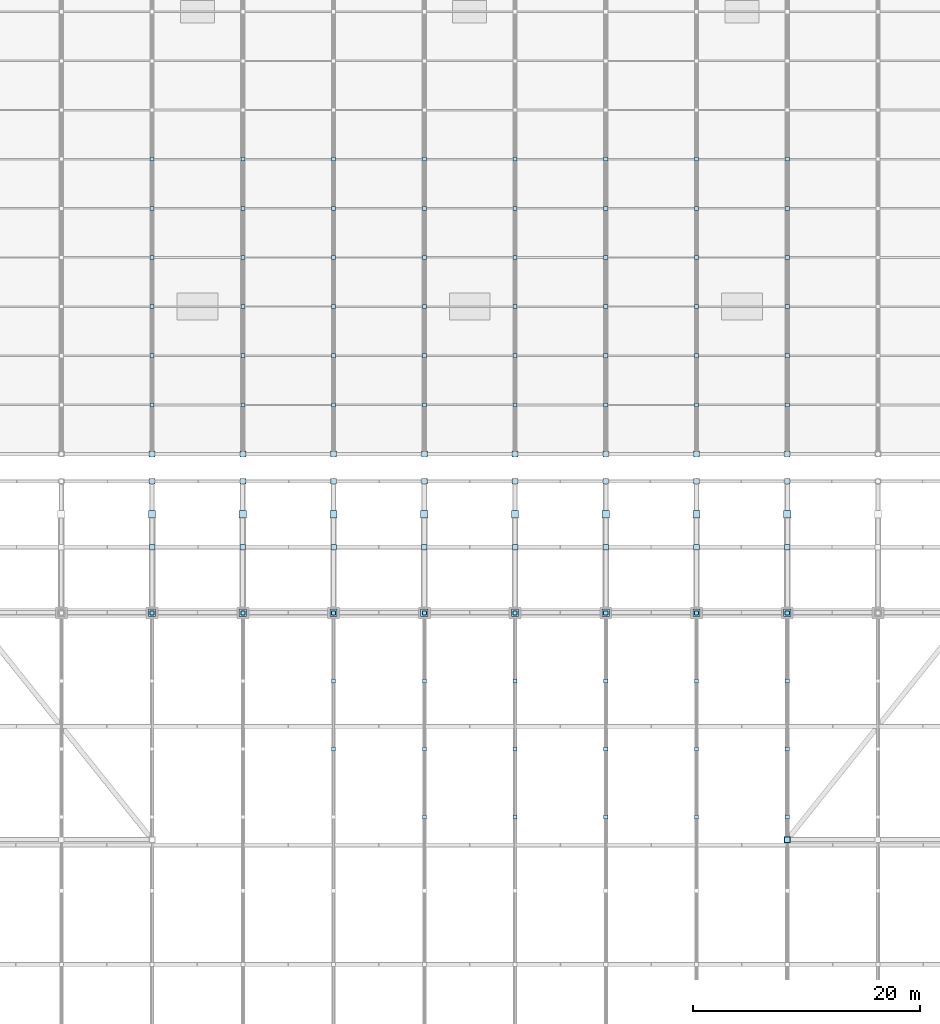
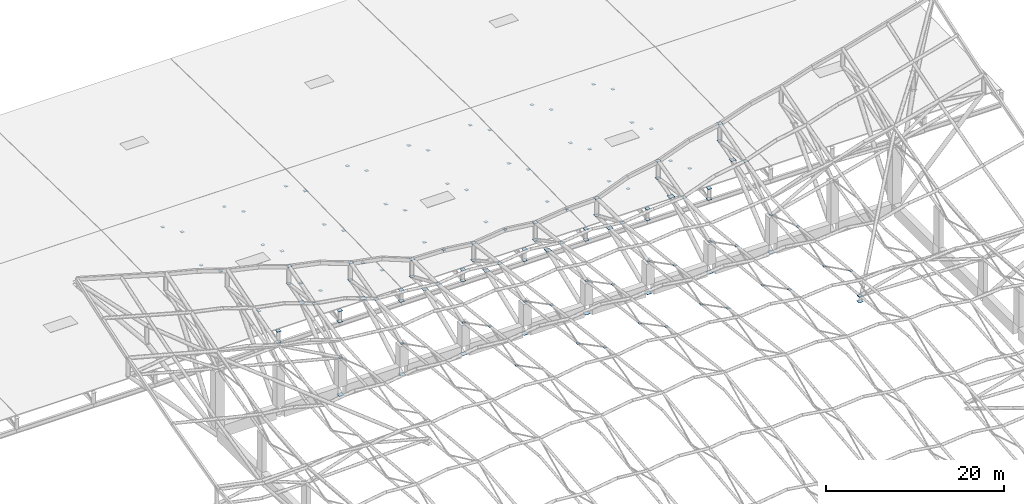
# One storey, part 62 of 75: 131 plates.
"""IFC4 building model written with IfcOpenShell, lengths in metres."""

from ifc_helpers import new_model, si_unit, direction, frame, origin, origin_2d, place, context, subcontext, project, spatial, rectangle, extrude, material, layer, layer_set, type_object, element, save


model = new_model("IFC4")

# Units and contexts
model_context = context("Model", 3, precision=1e-05, world=origin(), true_north=direction((0.0, 1.0)))
body_context = subcontext(model_context, "Body", "Model", "MODEL_VIEW")
ifc_project = project(units=[si_unit("LENGTHUNIT", "METRE"), si_unit("AREAUNIT", "SQUARE_METRE"), si_unit("VOLUMEUNIT", "CUBIC_METRE"), si_unit("PLANEANGLEUNIT", "RADIAN"), si_unit("MASSUNIT", "GRAM", prefix="KILO")], contexts=[model_context])

# Site, building, storey
site_placement = place(None, origin())
site = spatial("IfcSite", under=ifc_project, at=site_placement, CompositionType="ELEMENT")
building_placement = place(site_placement, origin())
building = spatial("IfcBuilding", under=site, at=building_placement, Name="Khorjan Park Terminus", CompositionType="ELEMENT")
storey_placement = place(building_placement, frame((0.0, 0.0, 16.2)))
storey = spatial("IfcBuildingStorey", under=building, at=storey_placement, Name="L03", CompositionType="ELEMENT", Elevation=16.2)

# Plates
ifc_material = material(Name="Steel S355", Category="steel")
ifc_layer_1 = layer(ifc_material, 0.022)
ifc_layer_set_1 = layer_set([ifc_layer_1], Name="Steel S355")
plate_type_1 = type_object("IfcPlateType", Name="PT-GUS-22", PredefinedType="SHEET", material=ifc_layer_set_1)
for number, where, z_axis, x_axis, name in (
    (1, (64.0, 106.3333, -1.0193), (0.0, 0.0, 1.0), (1.0, 0.0, 0.0), "Steel truss node cap plate NP-22 (RC2-GUS-END-0078)"),
    (2, (64.0, 110.6667, -2.611), (0.0, 0.0, 1.0), (1.0, 0.0, 0.0), "Steel truss node cap plate NP-22 (RC2-GUS-END-0079)"),
    (3, (64.0, 115.0, -0.836), (0.0, 0.0, 1.0), (1.0, 0.0, 0.0), "Steel truss node cap plate NP-22 (RC2-GUS-END-0080)"),
    (4, (64.0, 119.3333, -2.611), (0.0, 0.0, 1.0), (1.0, 0.0, 0.0), "Steel truss node cap plate NP-22 (RC2-GUS-END-0081)"),
    (5, (64.0, 123.6667, -0.6527), (0.0, 0.0, 1.0), (1.0, 0.0, 0.0), "Steel truss node cap plate NP-22 (RC2-GUS-END-0082)"),
    (6, (64.0, 128.0, -2.611), (0.0, 0.0, 1.0), (1.0, 0.0, 0.0), "Steel truss node cap plate NP-22 (RC2-GUS-END-0083)"),
    (7, (72.0, 106.3333, -1.0193), (0.0, 0.0, 1.0), (1.0, 0.0, 0.0), "Steel truss node cap plate NP-22 (RC2-GUS-END-0089)"),
    (8, (72.0, 110.6667, -2.611), (0.0, 0.0, 1.0), (1.0, 0.0, 0.0), "Steel truss node cap plate NP-22 (RC2-GUS-END-0090)"),
    (9, (72.0, 115.0, -0.836), (0.0, 0.0, 1.0), (1.0, 0.0, 0.0), "Steel truss node cap plate NP-22 (RC2-GUS-END-0091)"),
    (10, (72.0, 119.3333, -2.611), (0.0, 0.0, 1.0), (1.0, 0.0, 0.0), "Steel truss node cap plate NP-22 (RC2-GUS-END-0092)"),
    (11, (72.0, 123.6667, -0.6527), (0.0, 0.0, 1.0), (1.0, 0.0, 0.0), "Steel truss node cap plate NP-22 (RC2-GUS-END-0093)"),
    (12, (72.0, 128.0, -2.611), (0.0, 0.0, 1.0), (1.0, 0.0, 0.0), "Steel truss node cap plate NP-22 (RC2-GUS-END-0094)"),
    (13, (80.0, 106.3333, -1.0193), (0.0, 0.0, 1.0), (1.0, 0.0, 0.0), "Steel truss node cap plate NP-22 (RC2-GUS-END-0100)"),
    (14, (80.0, 110.6667, -2.611), (0.0, 0.0, 1.0), (1.0, 0.0, 0.0), "Steel truss node cap plate NP-22 (RC2-GUS-END-0101)"),
    (15, (80.0, 115.0, -0.836), (0.0, 0.0, 1.0), (1.0, 0.0, 0.0), "Steel truss node cap plate NP-22 (RC2-GUS-END-0102)"),
    (16, (80.0, 119.3333, -2.611), (0.0, 0.0, 1.0), (1.0, 0.0, 0.0), "Steel truss node cap plate NP-22 (RC2-GUS-END-0103)"),
    (17, (80.0, 123.6667, -0.6527), (0.0, 0.0, 1.0), (1.0, 0.0, 0.0), "Steel truss node cap plate NP-22 (RC2-GUS-END-0104)"),
    (18, (80.0, 128.0, -2.611), (0.0, 0.0, 1.0), (1.0, 0.0, 0.0), "Steel truss node cap plate NP-22 (RC2-GUS-END-0105)"),
    (19, (88.0, 106.3333, -1.0193), (0.0, 0.0, 1.0), (1.0, 0.0, 0.0), "Steel truss node cap plate NP-22 (RC2-GUS-END-0111)"),
    (20, (88.0, 110.6667, -2.611), (0.0, 0.0, 1.0), (1.0, 0.0, 0.0), "Steel truss node cap plate NP-22 (RC2-GUS-END-0112)"),
    (21, (88.0, 115.0, -0.836), (0.0, 0.0, 1.0), (1.0, 0.0, 0.0), "Steel truss node cap plate NP-22 (RC2-GUS-END-0113)"),
    (22, (88.0, 119.3333, -2.611), (0.0, 0.0, 1.0), (1.0, 0.0, 0.0), "Steel truss node cap plate NP-22 (RC2-GUS-END-0114)"),
    (23, (88.0, 123.6667, -0.6527), (0.0, 0.0, 1.0), (1.0, 0.0, 0.0), "Steel truss node cap plate NP-22 (RC2-GUS-END-0115)"),
    (24, (88.0, 128.0, -2.611), (0.0, 0.0, 1.0), (1.0, 0.0, 0.0), "Steel truss node cap plate NP-22 (RC2-GUS-END-0116)"),
    (25, (96.0, 106.3333, -1.0193), (0.0, 0.0, 1.0), (1.0, 0.0, 0.0), "Steel truss node cap plate NP-22 (RC2-GUS-END-0122)"),
    (26, (96.0, 110.6667, -2.611), (0.0, 0.0, 1.0), (1.0, 0.0, 0.0), "Steel truss node cap plate NP-22 (RC2-GUS-END-0123)"),
    (27, (96.0, 115.0, -0.836), (0.0, 0.0, 1.0), (1.0, 0.0, 0.0), "Steel truss node cap plate NP-22 (RC2-GUS-END-0124)"),
    (28, (96.0, 119.3333, -2.611), (0.0, 0.0, 1.0), (1.0, 0.0, 0.0), "Steel truss node cap plate NP-22 (RC2-GUS-END-0125)"),
    (29, (96.0, 123.6667, -0.6527), (0.0, 0.0, 1.0), (1.0, 0.0, 0.0), "Steel truss node cap plate NP-22 (RC2-GUS-END-0126)"),
    (30, (96.0, 128.0, -2.611), (0.0, 0.0, 1.0), (1.0, 0.0, 0.0), "Steel truss node cap plate NP-22 (RC2-GUS-END-0127)"),
    (31, (104.0, 106.3333, -1.0193), (0.0, 0.0, 1.0), (1.0, 0.0, 0.0), "Steel truss node cap plate NP-22 (RC2-GUS-END-0133)"),
    (32, (104.0, 110.6667, -2.611), (0.0, 0.0, 1.0), (1.0, 0.0, 0.0), "Steel truss node cap plate NP-22 (RC2-GUS-END-0134)"),
    (33, (104.0, 115.0, -0.836), (0.0, 0.0, 1.0), (1.0, 0.0, 0.0), "Steel truss node cap plate NP-22 (RC2-GUS-END-0135)"),
    (34, (104.0, 119.3333, -2.611), (0.0, 0.0, 1.0), (1.0, 0.0, 0.0), "Steel truss node cap plate NP-22 (RC2-GUS-END-0136)"),
    (35, (104.0, 123.6667, -0.6527), (0.0, 0.0, 1.0), (1.0, 0.0, 0.0), "Steel truss node cap plate NP-22 (RC2-GUS-END-0137)"),
    (36, (104.0, 128.0, -2.611), (0.0, 0.0, 1.0), (1.0, 0.0, 0.0), "Steel truss node cap plate NP-22 (RC2-GUS-END-0138)"),
    (37, (112.0, 106.3333, -1.0193), (0.0, 0.0, 1.0), (1.0, 0.0, 0.0), "Steel truss node cap plate NP-22 (RC2-GUS-END-0144)"),
    (38, (112.0, 110.6667, -2.611), (0.0, 0.0, 1.0), (1.0, 0.0, 0.0), "Steel truss node cap plate NP-22 (RC2-GUS-END-0145)"),
    (39, (112.0, 115.0, -0.836), (0.0, 0.0, 1.0), (1.0, 0.0, 0.0), "Steel truss node cap plate NP-22 (RC2-GUS-END-0146)"),
    (40, (112.0, 119.3333, -2.611), (0.0, 0.0, 1.0), (1.0, 0.0, 0.0), "Steel truss node cap plate NP-22 (RC2-GUS-END-0147)"),
    (41, (112.0, 123.6667, -0.6527), (0.0, 0.0, 1.0), (1.0, 0.0, 0.0), "Steel truss node cap plate NP-22 (RC2-GUS-END-0148)"),
    (42, (112.0, 128.0, -2.611), (0.0, 0.0, 1.0), (1.0, 0.0, 0.0), "Steel truss node cap plate NP-22 (RC2-GUS-END-0149)"),
    (43, (120.0, 106.3333, -1.0193), (0.0, 0.0, 1.0), (1.0, 0.0, 0.0), "Steel truss node cap plate NP-22 (RC2-GUS-END-0155)"),
    (44, (120.0, 110.6667, -2.611), (0.0, 0.0, 1.0), (1.0, 0.0, 0.0), "Steel truss node cap plate NP-22 (RC2-GUS-END-0156)"),
    (45, (120.0, 115.0, -0.836), (0.0, 0.0, 1.0), (1.0, 0.0, 0.0), "Steel truss node cap plate NP-22 (RC2-GUS-END-0157)"),
    (46, (120.0, 119.3333, -2.611), (0.0, 0.0, 1.0), (1.0, 0.0, 0.0), "Steel truss node cap plate NP-22 (RC2-GUS-END-0158)"),
    (47, (120.0, 123.6667, -0.6527), (0.0, 0.0, 1.0), (1.0, 0.0, 0.0), "Steel truss node cap plate NP-22 (RC2-GUS-END-0159)"),
    (48, (120.0, 128.0, -2.611), (0.0, 0.0, 1.0), (1.0, 0.0, 0.0), "Steel truss node cap plate NP-22 (RC2-GUS-END-0160)"),
    (49, (64.0, 88.0, 3.6848), (0.0, 0.0, 1.0), (1.0, 0.0, 0.0), "Steel truss node cap plate NP-22 (RC2-GUS-END-0260)"),
    (50, (72.0, 88.0, 2.8416), (0.0, 0.0, 1.0), (1.0, 0.0, 0.0), "Steel truss node cap plate NP-22 (RC2-GUS-END-0279)"),
    (51, (80.0, 76.0, 4.3102), (0.0, 0.0, 1.0), (1.0, 0.0, 0.0), "Steel truss node cap plate NP-22 (RC2-GUS-END-0296)"),
    (52, (80.0, 82.0, 6.0234), (0.0, 0.0, 1.0), (1.0, 0.0, 0.0), "Steel truss node cap plate NP-22 (RC2-GUS-END-0297)"),
    (53, (80.0, 88.0, 2.9367), (0.0, 0.0, 1.0), (1.0, 0.0, 0.0), "Steel truss node cap plate NP-22 (RC2-GUS-END-0298)"),
    (54, (88.0, 70.0, 7.6397), (0.0, 0.0, 1.0), (1.0, 0.0, 0.0), "Steel truss node cap plate NP-22 (RC2-GUS-END-0314)"),
    (55, (88.0, 76.0, 4.5038), (0.0, 0.0, 1.0), (1.0, 0.0, 0.0), "Steel truss node cap plate NP-22 (RC2-GUS-END-0315)"),
    (56, (88.0, 82.0, 6.1678), (0.0, 0.0, 1.0), (1.0, 0.0, 0.0), "Steel truss node cap plate NP-22 (RC2-GUS-END-0316)"),
    (57, (88.0, 88.0, 3.0319), (0.0, 0.0, 1.0), (1.0, 0.0, 0.0), "Steel truss node cap plate NP-22 (RC2-GUS-END-0317)"),
    (58, (96.0, 70.0, 7.6397), (0.0, 0.0, 1.0), (1.0, 0.0, 0.0), "Steel truss node cap plate NP-22 (RC2-GUS-END-0333)"),
    (59, (96.0, 76.0, 4.5038), (0.0, 0.0, 1.0), (1.0, 0.0, 0.0), "Steel truss node cap plate NP-22 (RC2-GUS-END-0334)"),
    (60, (96.0, 82.0, 6.1678), (0.0, 0.0, 1.0), (1.0, 0.0, 0.0), "Steel truss node cap plate NP-22 (RC2-GUS-END-0335)"),
    (61, (96.0, 88.0, 3.0319), (0.0, 0.0, 1.0), (1.0, 0.0, 0.0), "Steel truss node cap plate NP-22 (RC2-GUS-END-0336)"),
    (62, (104.0, 70.0, 7.3969), (0.0, 0.0, 1.0), (1.0, 0.0, 0.0), "Steel truss node cap plate NP-22 (RC2-GUS-END-0352)"),
    (63, (104.0, 76.0, 4.3102), (0.0, 0.0, 1.0), (1.0, 0.0, 0.0), "Steel truss node cap plate NP-22 (RC2-GUS-END-0353)"),
    (64, (104.0, 82.0, 6.0234), (0.0, 0.0, 1.0), (1.0, 0.0, 0.0), "Steel truss node cap plate NP-22 (RC2-GUS-END-0354)"),
    (65, (104.0, 88.0, 2.9367), (0.0, 0.0, 1.0), (1.0, 0.0, 0.0), "Steel truss node cap plate NP-22 (RC2-GUS-END-0355)"),
    (66, (112.0, 70.0, 7.1542), (0.0, 0.0, 1.0), (1.0, 0.0, 0.0), "Steel truss node cap plate NP-22 (RC2-GUS-END-0371)"),
    (67, (112.0, 76.0, 4.1166), (0.0, 0.0, 1.0), (1.0, 0.0, 0.0), "Steel truss node cap plate NP-22 (RC2-GUS-END-0372)"),
    (68, (112.0, 82.0, 5.8791), (0.0, 0.0, 1.0), (1.0, 0.0, 0.0), "Steel truss node cap plate NP-22 (RC2-GUS-END-0373)"),
    (69, (112.0, 88.0, 2.8416), (0.0, 0.0, 1.0), (1.0, 0.0, 0.0), "Steel truss node cap plate NP-22 (RC2-GUS-END-0374)"),
    (70, (120.0, 70.0, 6.9114), (0.0, 0.0, 1.0), (1.0, 0.0, 0.0), "Steel truss node cap plate NP-22 (RC2-GUS-END-0390)"),
    (71, (120.0, 76.0, 3.9231), (0.0, 0.0, 1.0), (1.0, 0.0, 0.0), "Steel truss node cap plate NP-22 (RC2-GUS-END-0391)"),
    (72, (120.0, 82.0, 5.7347), (0.0, 0.0, 1.0), (1.0, 0.0, 0.0), "Steel truss node cap plate NP-22 (RC2-GUS-END-0392)"),
    (73, (120.0, 88.0, 3.6848), (0.0, 0.0, 1.0), (1.0, 0.0, 0.0), "Steel truss node cap plate NP-22 (RC2-GUS-END-0393)"),
):
    element("IfcPlate", number, at=place(storey_placement, frame(where, z_axis=z_axis, x_axis=x_axis)), inside=storey, type_object=plate_type_1, Name=name, PredefinedType="SHEET", context=body_context, shape_type="SweptSolid", body=[
        extrude(rectangle(XDim=0.36, YDim=0.36, at=origin_2d()), origin(), (0.0, 0.0, 1.0), 0.022),
    ])
plate_1_placement = place(storey_placement, frame((120.0, 68.0, 4.7075), z_axis=(0.0, 0.0, 1.0), x_axis=(1.0, 0.0, 0.0)))
element("IfcPlate", 74, at=plate_1_placement, inside=storey, type_object=plate_type_1, Name="Steel truss node cap plate NP-22 (RC2-GUS-END-0460)", PredefinedType="SHEET", context=body_context, shape_type="SweptSolid", body=[
    extrude(rectangle(XDim=0.49, YDim=0.49, at=origin_2d()), origin(), (0.0, 0.0, 1.0), 0.022),
])
ifc_layer_2 = layer(ifc_material, 0.025)
ifc_layer_set_2 = layer_set([ifc_layer_2], Name="Steel S355")
plate_type_2 = type_object("IfcPlateType", Name="PT-GUSE-25", PredefinedType="SHEET", material=ifc_layer_set_2)
for number, where, z_axis, x_axis, name in (
    (75, (64.0, 102.0, -2.6125), (0.0, 0.0, 1.0), (1.0, 0.0, 0.0), "Steel truss node cap plate NPE-25 (RC2-NP-V1-T08-SB)"),
    (76, (72.0, 102.0, -2.6125), (0.0, 0.0, 1.0), (1.0, 0.0, 0.0), "Steel truss node cap plate NPE-25 (RC2-NP-V1-T09-SB)"),
    (77, (80.0, 102.0, -2.6125), (0.0, 0.0, 1.0), (1.0, 0.0, 0.0), "Steel truss node cap plate NPE-25 (RC2-NP-V1-T10-SB)"),
    (78, (88.0, 102.0, -2.6125), (0.0, 0.0, 1.0), (1.0, 0.0, 0.0), "Steel truss node cap plate NPE-25 (RC2-NP-V1-T11-SB)"),
    (79, (96.0, 102.0, -2.6125), (0.0, 0.0, 1.0), (1.0, 0.0, 0.0), "Steel truss node cap plate NPE-25 (RC2-NP-V1-T12-SB)"),
    (80, (104.0, 102.0, -2.6125), (0.0, 0.0, 1.0), (1.0, 0.0, 0.0), "Steel truss node cap plate NPE-25 (RC2-NP-V1-T13-SB)"),
    (81, (112.0, 102.0, -2.6125), (0.0, 0.0, 1.0), (1.0, 0.0, 0.0), "Steel truss node cap plate NPE-25 (RC2-NP-V1-T14-SB)"),
    (82, (120.0, 102.0, -2.6125), (0.0, 0.0, 1.0), (1.0, 0.0, 0.0), "Steel truss node cap plate NPE-25 (RC2-NP-V1-T15-SB)"),
):
    element("IfcPlate", number, at=place(storey_placement, frame(where, z_axis=z_axis, x_axis=x_axis)), inside=storey, type_object=plate_type_2, Name=name, PredefinedType="SHEET", context=body_context, shape_type="SweptSolid", body=[
        extrude(rectangle(XDim=0.52, YDim=0.52, at=origin_2d()), origin(), (0.0, 0.0, 1.0), 0.025),
    ])
plate_2_placement = place(storey_placement, frame((120.0, 68.0, 3.936), z_axis=(0.0, 0.0, 1.0), x_axis=(1.0, 0.0, 0.0)))
element("IfcPlate", 83, at=plate_2_placement, inside=storey, type_object=plate_type_2, Name="Steel truss node cap plate NPE-25 (RC2-NP-UCRN-BK-NE)", PredefinedType="SHEET", context=body_context, shape_type="SweptSolid", body=[
    extrude(rectangle(XDim=0.56, YDim=0.56, at=origin_2d()), origin(), (0.0, 0.0, 1.0), 0.025),
])
for number, where, z_axis, x_axis, name in (
    (84, (64.0, 93.8, 7.5606), (0.0, 0.0, 1.0), (1.0, 0.0, 0.0), "Steel truss node cap plate NPE-25 (RC2-GUS-END-0261)"),
    (85, (64.0, 99.6, 6.818), (0.0, 0.0, 1.0), (1.0, 0.0, 0.0), "Steel truss node cap plate NPE-25 (RC2-GUS-END-0262)"),
):
    element("IfcPlate", number, at=place(storey_placement, frame(where, z_axis=z_axis, x_axis=x_axis)), inside=storey, type_object=plate_type_2, Name=name, PredefinedType="SHEET", context=body_context, shape_type="SweptSolid", body=[
        extrude(rectangle(XDim=0.49, YDim=0.49, at=origin_2d()), origin(), (0.0, 0.0, 1.0), 0.025),
    ])
for number, where, z_axis, x_axis, name in (
    (86, (64.0, 88.0, -1.4125), (0.0, 0.0, 1.0), (1.0, 0.0, 0.0), "Steel truss node cap plate NPE-25 (RC2-GUS-END-0265)"),
    (87, (64.0, 96.7, 5.9893), (0.0, 0.0, 1.0), (1.0, 0.0, 0.0), "Steel truss node cap plate NPE-25 (RC2-GUS-END-0266)"),
):
    element("IfcPlate", number, at=place(storey_placement, frame(where, z_axis=z_axis, x_axis=x_axis)), inside=storey, type_object=plate_type_2, Name=name, PredefinedType="SHEET", context=body_context, shape_type="SweptSolid", body=[
        extrude(rectangle(XDim=0.64, YDim=0.64, at=origin_2d()), origin(), (0.0, 0.0, 1.0), 0.025),
    ])
for number, where, z_axis, x_axis, name in (
    (88, (72.0, 93.8, 5.3892), (0.0, 0.0, 1.0), (1.0, 0.0, 0.0), "Steel truss node cap plate NPE-25 (RC2-GUS-END-0280)"),
    (89, (72.0, 99.6, 4.5022), (0.0, 0.0, 1.0), (1.0, 0.0, 0.0), "Steel truss node cap plate NPE-25 (RC2-GUS-END-0281)"),
):
    element("IfcPlate", number, at=place(storey_placement, frame(where, z_axis=z_axis, x_axis=x_axis)), inside=storey, type_object=plate_type_2, Name=name, PredefinedType="SHEET", context=body_context, shape_type="SweptSolid", body=[
        extrude(rectangle(XDim=0.49, YDim=0.49, at=origin_2d()), origin(), (0.0, 0.0, 1.0), 0.025),
    ])
for number, where, z_axis, x_axis, name in (
    (90, (72.0, 88.0, -1.4125), (0.0, 0.0, 1.0), (1.0, 0.0, 0.0), "Steel truss node cap plate NPE-25 (RC2-GUS-END-0284)"),
    (91, (72.0, 96.7, 3.7457), (0.0, 0.0, 1.0), (1.0, 0.0, 0.0), "Steel truss node cap plate NPE-25 (RC2-GUS-END-0285)"),
):
    element("IfcPlate", number, at=place(storey_placement, frame(where, z_axis=z_axis, x_axis=x_axis)), inside=storey, type_object=plate_type_2, Name=name, PredefinedType="SHEET", context=body_context, shape_type="SweptSolid", body=[
        extrude(rectangle(XDim=0.64, YDim=0.64, at=origin_2d()), origin(), (0.0, 0.0, 1.0), 0.025),
    ])
for number, where, z_axis, x_axis, name in (
    (92, (80.0, 93.8, 4.6714), (0.0, 0.0, 1.0), (1.0, 0.0, 0.0), "Steel truss node cap plate NPE-25 (RC2-GUS-END-0299)"),
    (93, (80.0, 99.6, 2.1864), (0.0, 0.0, 1.0), (1.0, 0.0, 0.0), "Steel truss node cap plate NPE-25 (RC2-GUS-END-0300)"),
):
    element("IfcPlate", number, at=place(storey_placement, frame(where, z_axis=z_axis, x_axis=x_axis)), inside=storey, type_object=plate_type_2, Name=name, PredefinedType="SHEET", context=body_context, shape_type="SweptSolid", body=[
        extrude(rectangle(XDim=0.49, YDim=0.49, at=origin_2d()), origin(), (0.0, 0.0, 1.0), 0.025),
    ])
for number, where, z_axis, x_axis, name in (
    (94, (80.0, 88.0, -1.4125), (0.0, 0.0, 1.0), (1.0, 0.0, 0.0), "Steel truss node cap plate NPE-25 (RC2-GUS-END-0303)"),
    (95, (80.0, 96.7, 2.2289), (0.0, 0.0, 1.0), (1.0, 0.0, 0.0), "Steel truss node cap plate NPE-25 (RC2-GUS-END-0304)"),
):
    element("IfcPlate", number, at=place(storey_placement, frame(where, z_axis=z_axis, x_axis=x_axis)), inside=storey, type_object=plate_type_2, Name=name, PredefinedType="SHEET", context=body_context, shape_type="SweptSolid", body=[
        extrude(rectangle(XDim=0.64, YDim=0.64, at=origin_2d()), origin(), (0.0, 0.0, 1.0), 0.025),
    ])
for number, where, z_axis, x_axis, name in (
    (96, (88.0, 93.8, 4.7189), (0.0, 0.0, 1.0), (1.0, 0.0, 0.0), "Steel truss node cap plate NPE-25 (RC2-GUS-END-0318)"),
    (97, (88.0, 99.6, 1.6075), (0.0, 0.0, 1.0), (1.0, 0.0, 0.0), "Steel truss node cap plate NPE-25 (RC2-GUS-END-0319)"),
):
    element("IfcPlate", number, at=place(storey_placement, frame(where, z_axis=z_axis, x_axis=x_axis)), inside=storey, type_object=plate_type_2, Name=name, PredefinedType="SHEET", context=body_context, shape_type="SweptSolid", body=[
        extrude(rectangle(XDim=0.49, YDim=0.49, at=origin_2d()), origin(), (0.0, 0.0, 1.0), 0.025),
    ])
for number, where, z_axis, x_axis, name in (
    (98, (88.0, 88.0, -1.4125), (0.0, 0.0, 1.0), (1.0, 0.0, 0.0), "Steel truss node cap plate NPE-25 (RC2-GUS-END-0322)"),
    (99, (88.0, 96.7, 1.9632), (0.0, 0.0, 1.0), (1.0, 0.0, 0.0), "Steel truss node cap plate NPE-25 (RC2-GUS-END-0323)"),
):
    element("IfcPlate", number, at=place(storey_placement, frame(where, z_axis=z_axis, x_axis=x_axis)), inside=storey, type_object=plate_type_2, Name=name, PredefinedType="SHEET", context=body_context, shape_type="SweptSolid", body=[
        extrude(rectangle(XDim=0.64, YDim=0.64, at=origin_2d()), origin(), (0.0, 0.0, 1.0), 0.025),
    ])
for number, where, z_axis, x_axis, name in (
    (100, (96.0, 93.8, 4.7189), (0.0, 0.0, 1.0), (1.0, 0.0, 0.0), "Steel truss node cap plate NPE-25 (RC2-GUS-END-0337)"),
    (101, (96.0, 99.6, 1.6075), (0.0, 0.0, 1.0), (1.0, 0.0, 0.0), "Steel truss node cap plate NPE-25 (RC2-GUS-END-0338)"),
):
    element("IfcPlate", number, at=place(storey_placement, frame(where, z_axis=z_axis, x_axis=x_axis)), inside=storey, type_object=plate_type_2, Name=name, PredefinedType="SHEET", context=body_context, shape_type="SweptSolid", body=[
        extrude(rectangle(XDim=0.49, YDim=0.49, at=origin_2d()), origin(), (0.0, 0.0, 1.0), 0.025),
    ])
for number, where, z_axis, x_axis, name in (
    (102, (96.0, 88.0, -1.4125), (0.0, 0.0, 1.0), (1.0, 0.0, 0.0), "Steel truss node cap plate NPE-25 (RC2-GUS-END-0341)"),
    (103, (96.0, 96.7, 1.9632), (0.0, 0.0, 1.0), (1.0, 0.0, 0.0), "Steel truss node cap plate NPE-25 (RC2-GUS-END-0342)"),
):
    element("IfcPlate", number, at=place(storey_placement, frame(where, z_axis=z_axis, x_axis=x_axis)), inside=storey, type_object=plate_type_2, Name=name, PredefinedType="SHEET", context=body_context, shape_type="SweptSolid", body=[
        extrude(rectangle(XDim=0.64, YDim=0.64, at=origin_2d()), origin(), (0.0, 0.0, 1.0), 0.025),
    ])
for number, where, z_axis, x_axis, name in (
    (104, (104.0, 93.8, 4.6714), (0.0, 0.0, 1.0), (1.0, 0.0, 0.0), "Steel truss node cap plate NPE-25 (RC2-GUS-END-0356)"),
    (105, (104.0, 99.6, 2.1864), (0.0, 0.0, 1.0), (1.0, 0.0, 0.0), "Steel truss node cap plate NPE-25 (RC2-GUS-END-0357)"),
):
    element("IfcPlate", number, at=place(storey_placement, frame(where, z_axis=z_axis, x_axis=x_axis)), inside=storey, type_object=plate_type_2, Name=name, PredefinedType="SHEET", context=body_context, shape_type="SweptSolid", body=[
        extrude(rectangle(XDim=0.49, YDim=0.49, at=origin_2d()), origin(), (0.0, 0.0, 1.0), 0.025),
    ])
for number, where, z_axis, x_axis, name in (
    (106, (104.0, 88.0, -1.4125), (0.0, 0.0, 1.0), (1.0, 0.0, 0.0), "Steel truss node cap plate NPE-25 (RC2-GUS-END-0360)"),
    (107, (104.0, 96.7, 2.2289), (0.0, 0.0, 1.0), (1.0, 0.0, 0.0), "Steel truss node cap plate NPE-25 (RC2-GUS-END-0361)"),
):
    element("IfcPlate", number, at=place(storey_placement, frame(where, z_axis=z_axis, x_axis=x_axis)), inside=storey, type_object=plate_type_2, Name=name, PredefinedType="SHEET", context=body_context, shape_type="SweptSolid", body=[
        extrude(rectangle(XDim=0.64, YDim=0.64, at=origin_2d()), origin(), (0.0, 0.0, 1.0), 0.025),
    ])
for number, where, z_axis, x_axis, name in (
    (108, (112.0, 93.8, 5.3892), (0.0, 0.0, 1.0), (1.0, 0.0, 0.0), "Steel truss node cap plate NPE-25 (RC2-GUS-END-0375)"),
    (109, (112.0, 99.6, 4.5022), (0.0, 0.0, 1.0), (1.0, 0.0, 0.0), "Steel truss node cap plate NPE-25 (RC2-GUS-END-0376)"),
):
    element("IfcPlate", number, at=place(storey_placement, frame(where, z_axis=z_axis, x_axis=x_axis)), inside=storey, type_object=plate_type_2, Name=name, PredefinedType="SHEET", context=body_context, shape_type="SweptSolid", body=[
        extrude(rectangle(XDim=0.49, YDim=0.49, at=origin_2d()), origin(), (0.0, 0.0, 1.0), 0.025),
    ])
for number, where, z_axis, x_axis, name in (
    (110, (112.0, 88.0, -1.4125), (0.0, 0.0, 1.0), (1.0, 0.0, 0.0), "Steel truss node cap plate NPE-25 (RC2-GUS-END-0379)"),
    (111, (112.0, 96.7, 3.7457), (0.0, 0.0, 1.0), (1.0, 0.0, 0.0), "Steel truss node cap plate NPE-25 (RC2-GUS-END-0380)"),
):
    element("IfcPlate", number, at=place(storey_placement, frame(where, z_axis=z_axis, x_axis=x_axis)), inside=storey, type_object=plate_type_2, Name=name, PredefinedType="SHEET", context=body_context, shape_type="SweptSolid", body=[
        extrude(rectangle(XDim=0.64, YDim=0.64, at=origin_2d()), origin(), (0.0, 0.0, 1.0), 0.025),
    ])
for number, where, z_axis, x_axis, name in (
    (112, (120.0, 93.8, 7.5606), (0.0, 0.0, 1.0), (1.0, 0.0, 0.0), "Steel truss node cap plate NPE-25 (RC2-GUS-END-0394)"),
    (113, (120.0, 99.6, 6.818), (0.0, 0.0, 1.0), (1.0, 0.0, 0.0), "Steel truss node cap plate NPE-25 (RC2-GUS-END-0395)"),
):
    element("IfcPlate", number, at=place(storey_placement, frame(where, z_axis=z_axis, x_axis=x_axis)), inside=storey, type_object=plate_type_2, Name=name, PredefinedType="SHEET", context=body_context, shape_type="SweptSolid", body=[
        extrude(rectangle(XDim=0.49, YDim=0.49, at=origin_2d()), origin(), (0.0, 0.0, 1.0), 0.025),
    ])
for number, where, z_axis, x_axis, name in (
    (114, (120.0, 88.0, -1.4125), (0.0, 0.0, 1.0), (1.0, 0.0, 0.0), "Steel truss node cap plate NPE-25 (RC2-GUS-END-0398)"),
    (115, (120.0, 96.7, 5.9893), (0.0, 0.0, 1.0), (1.0, 0.0, 0.0), "Steel truss node cap plate NPE-25 (RC2-GUS-END-0399)"),
):
    element("IfcPlate", number, at=place(storey_placement, frame(where, z_axis=z_axis, x_axis=x_axis)), inside=storey, type_object=plate_type_2, Name=name, PredefinedType="SHEET", context=body_context, shape_type="SweptSolid", body=[
        extrude(rectangle(XDim=0.64, YDim=0.64, at=origin_2d()), origin(), (0.0, 0.0, 1.0), 0.025),
    ])
ifc_layer_3 = layer(ifc_material, 0.03)
ifc_layer_set_3 = layer_set([ifc_layer_3], Name="Steel S355")
plate_type_3 = type_object("IfcPlateType", Name="PT-GUSE-30", PredefinedType="SHEET", material=ifc_layer_set_3)
for number, where, z_axis, x_axis, name in (
    (116, (64.0, 102.0, -1.115), (0.0, 0.0, 1.0), (1.0, 0.0, 0.0), "Steel truss node cap plate NPE-30 (RC2-NP-V1-T08-ST)"),
    (117, (72.0, 102.0, -1.115), (0.0, 0.0, 1.0), (1.0, 0.0, 0.0), "Steel truss node cap plate NPE-30 (RC2-NP-V1-T09-ST)"),
    (118, (80.0, 102.0, -1.115), (0.0, 0.0, 1.0), (1.0, 0.0, 0.0), "Steel truss node cap plate NPE-30 (RC2-NP-V1-T10-ST)"),
    (119, (88.0, 102.0, -1.115), (0.0, 0.0, 1.0), (1.0, 0.0, 0.0), "Steel truss node cap plate NPE-30 (RC2-NP-V1-T11-ST)"),
    (120, (96.0, 102.0, -1.115), (0.0, 0.0, 1.0), (1.0, 0.0, 0.0), "Steel truss node cap plate NPE-30 (RC2-NP-V1-T12-ST)"),
    (121, (104.0, 102.0, -1.115), (0.0, 0.0, 1.0), (1.0, 0.0, 0.0), "Steel truss node cap plate NPE-30 (RC2-NP-V1-T13-ST)"),
    (122, (112.0, 102.0, -1.115), (0.0, 0.0, 1.0), (1.0, 0.0, 0.0), "Steel truss node cap plate NPE-30 (RC2-NP-V1-T14-ST)"),
    (123, (120.0, 102.0, -1.115), (0.0, 0.0, 1.0), (1.0, 0.0, 0.0), "Steel truss node cap plate NPE-30 (RC2-NP-V1-T15-ST)"),
    (124, (64.0, 99.6, 9.2155), (0.0, 0.0, 1.0), (1.0, 0.0, 0.0), "Steel truss node cap plate NPE-30 (RC2-NP-UTR03-N)"),
    (125, (72.0, 99.6, 6.8997), (0.0, 0.0, 1.0), (1.0, 0.0, 0.0), "Steel truss node cap plate NPE-30 (RC2-NP-UTR04-N)"),
    (126, (80.0, 99.6, 4.5839), (0.0, 0.0, 1.0), (1.0, 0.0, 0.0), "Steel truss node cap plate NPE-30 (RC2-NP-UTR05-N)"),
    (127, (88.0, 99.6, 4.005), (0.0, 0.0, 1.0), (1.0, 0.0, 0.0), "Steel truss node cap plate NPE-30 (RC2-NP-UTR06-N)"),
    (128, (96.0, 99.6, 4.005), (0.0, 0.0, 1.0), (1.0, 0.0, 0.0), "Steel truss node cap plate NPE-30 (RC2-NP-UTR07-N)"),
    (129, (104.0, 99.6, 4.5839), (0.0, 0.0, 1.0), (1.0, 0.0, 0.0), "Steel truss node cap plate NPE-30 (RC2-NP-UTR08-N)"),
    (130, (112.0, 99.6, 6.8997), (0.0, 0.0, 1.0), (1.0, 0.0, 0.0), "Steel truss node cap plate NPE-30 (RC2-NP-UTR09-N)"),
    (131, (120.0, 99.6, 9.2155), (0.0, 0.0, 1.0), (1.0, 0.0, 0.0), "Steel truss node cap plate NPE-30 (RC2-NP-UTR10-N)"),
):
    element("IfcPlate", number, at=place(storey_placement, frame(where, z_axis=z_axis, x_axis=x_axis)), inside=storey, type_object=plate_type_3, Name=name, PredefinedType="SHEET", context=body_context, shape_type="SweptSolid", body=[
        extrude(rectangle(XDim=0.52, YDim=0.52, at=origin_2d()), origin(), (0.0, 0.0, 1.0), 0.03),
    ])

save(model, "model.ifc")
